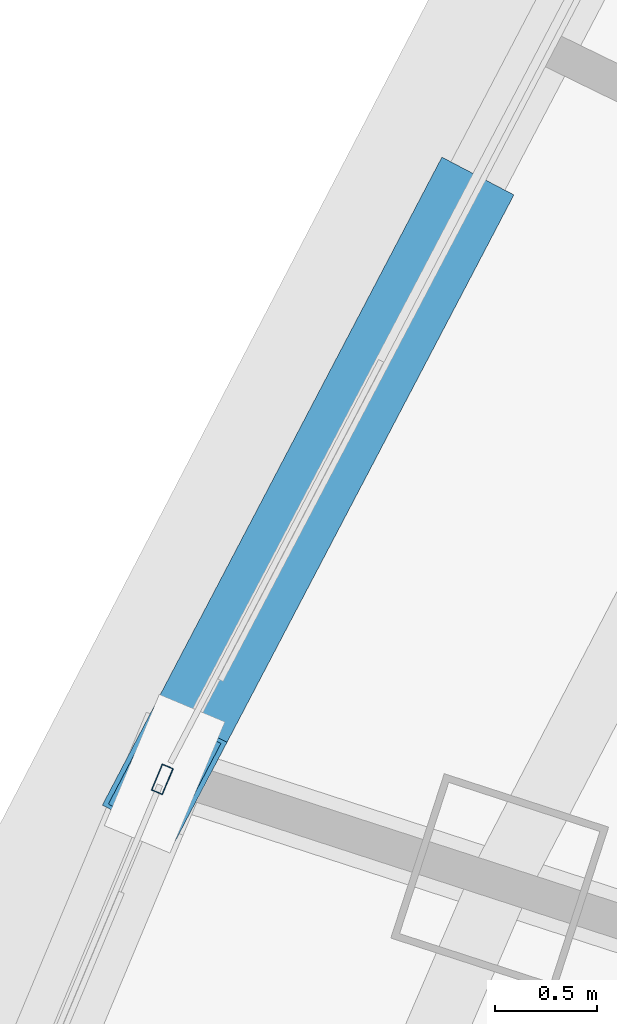
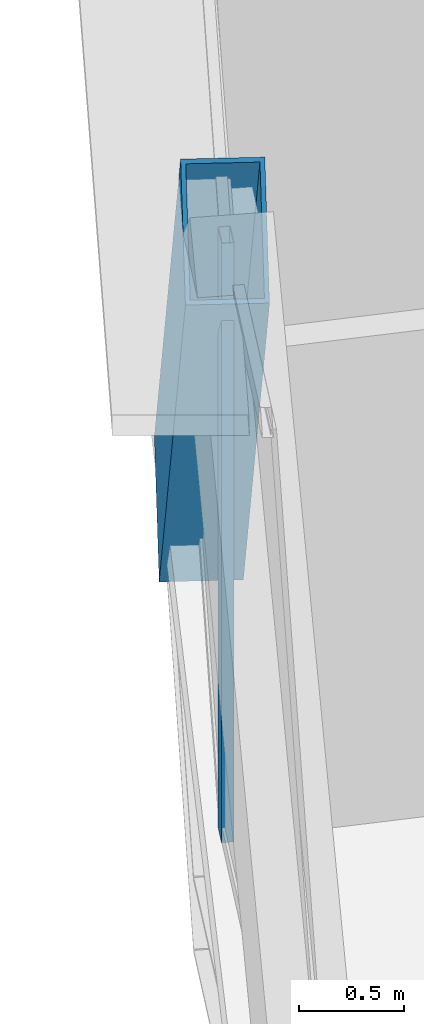
# One storey, part 8 of 37: 2 members, 1 element without a shape of its own.
"""IFC4 building model written with IfcOpenShell, lengths in metres."""

from ifc_helpers import new_model, si_unit, direction, frame, origin, origin_2d, place, context, subcontext, project, spatial, hollow_rectangle, extrude, source, transform, mapped, material, layer, layer_set, material_profile, profile_set, type_object, element, aggregate, save


model = new_model("IFC4")

# Units and contexts
model_context = context("Model", 3, precision=1e-05, world=origin(), true_north=direction((0.0, 1.0)))
body_context = subcontext(model_context, "Body", "Model", "MODEL_VIEW")
ifc_project = project(units=[si_unit("LENGTHUNIT", "METRE"), si_unit("AREAUNIT", "SQUARE_METRE"), si_unit("VOLUMEUNIT", "CUBIC_METRE"), si_unit("PLANEANGLEUNIT", "RADIAN"), si_unit("MASSUNIT", "GRAM", prefix="KILO"), si_unit("THERMODYNAMICTEMPERATUREUNIT", "KELVIN"), si_unit("POWERUNIT", "WATT")], contexts=[model_context])

# Site, building, storey
site_placement = place(None, origin())
site = spatial("IfcSite", under=ifc_project, at=site_placement, CompositionType="ELEMENT")
building_placement = place(site_placement, origin())
building = spatial("IfcBuilding", under=site, at=building_placement, Name="Yunzhuo Pagoda Commons", CompositionType="ELEMENT")
storey_placement = place(building_placement, frame((0.0, 0.0, 251.989990234375)))
storey = spatial("IfcBuildingStorey", under=building, at=storey_placement, Name="L63", CompositionType="ELEMENT", Elevation=251.989990234375)

# Member
ifc_material_1 = material(Name="Structural steel Q355B", Category="steel")
ifc_material_profile_1 = material_profile(ifc_material_1, hollow_rectangle(XDim=0.39990234375, YDim=0.719970703125, WallThickness=0.02392578125, at=origin_2d()), Name="Structural steel Q355B")
ifc_profile_set_1 = profile_set([ifc_material_profile_1], Name="Structural steel Q355B")
member_type_1 = type_object("IfcMemberType", Name="M-DL2 Brace BOX 720x400x24", PredefinedType="BRACE", material=ifc_profile_set_1)
shared_shape_1 = source(origin(), body_context, "Body", "SweptSolid", [
    extrude(hollow_rectangle(XDim=0.39990234375, YDim=0.719970703125, WallThickness=0.02392578125, at=origin_2d()), origin(), (0.0, 0.0, 1.0), 4.811767578125),
])
member_1_placement = place(storey_placement, frame((21.864990234375, 45.343017578125, -0.259765625), z_axis=(-0.293271078731, -0.559599779813, 0.775138800998), x_axis=(0.885735630591, -0.464190039425, 0.0)))
element("IfcMember", 1, at=member_1_placement, inside=storey, type_object=member_type_1, Name="L63 facade diamond brace F3.2R", PredefinedType="BRACE", context=body_context, shape_type="MappedRepresentation", body=[
    mapped(shared_shape_1, transform((0.0, 0.0, 0.0), scale=1.0)),
])

# Curtain wall, member
ifc_material_2 = material(Name="Anodized aluminium 6063-T6", Category="aluminium")
ifc_layer = layer(ifc_material_2, 0.139892578125)
ifc_layer_set = layer_set([ifc_layer], Name="Anodized aluminium 6063-T6")
curtain_wall_type = type_object("IfcCurtainWallType", Name="CW-HI High-Zone Ribbon Curtain Wall", PredefinedType="NOTDEFINED", material=ifc_layer_set)
curtain_wall_placement = place(storey_placement, origin())
curtain_wall = element("IfcCurtainWall", 2, at=curtain_wall_placement, inside=storey, type_object=curtain_wall_type, Name="L63 curtain wall CW-L63-F3B4", PredefinedType="NOTDEFINED")
ifc_material_profile_2 = material_profile(ifc_material_2, hollow_rectangle(XDim=0.06005859375, YDim=0.139892578125, WallThickness=0.00341796875, at=origin_2d()), Name="Anodized aluminium 6063-T6")
ifc_profile_set_2 = profile_set([ifc_material_profile_2], Name="Anodized aluminium 6063-T6")
member_type_2 = type_object("IfcMemberType", Name="CW-HI-M Mullion RHS 140x60x3.5", PredefinedType="MULLION", material=ifc_profile_set_2)
shared_shape_2 = source(origin(), body_context, "Body", "SweptSolid", [
    extrude(hollow_rectangle(XDim=0.06005859375, YDim=0.139892578125, WallThickness=0.00341796875, at=origin_2d()), origin(), (0.0, 0.0, 1.0), 3.469970703125),
])
member_2_placement = place(storey_placement, frame((20.4423828125, 42.62255859375, 0.0), z_axis=(0.0, 0.0, 1.0), x_axis=(0.922450521644, -0.38611531324, 0.0)))
member_2 = element("IfcMember", 3, at=member_2_placement, type_object=member_type_2, Name="CW mullion 1", PredefinedType="MULLION", context=body_context, shape_type="MappedRepresentation", body=[
    mapped(shared_shape_2, transform((0.0, 0.0, 0.0), scale=1.0)),
])
aggregate(curtain_wall, [member_2])

save(model, "model.ifc")
